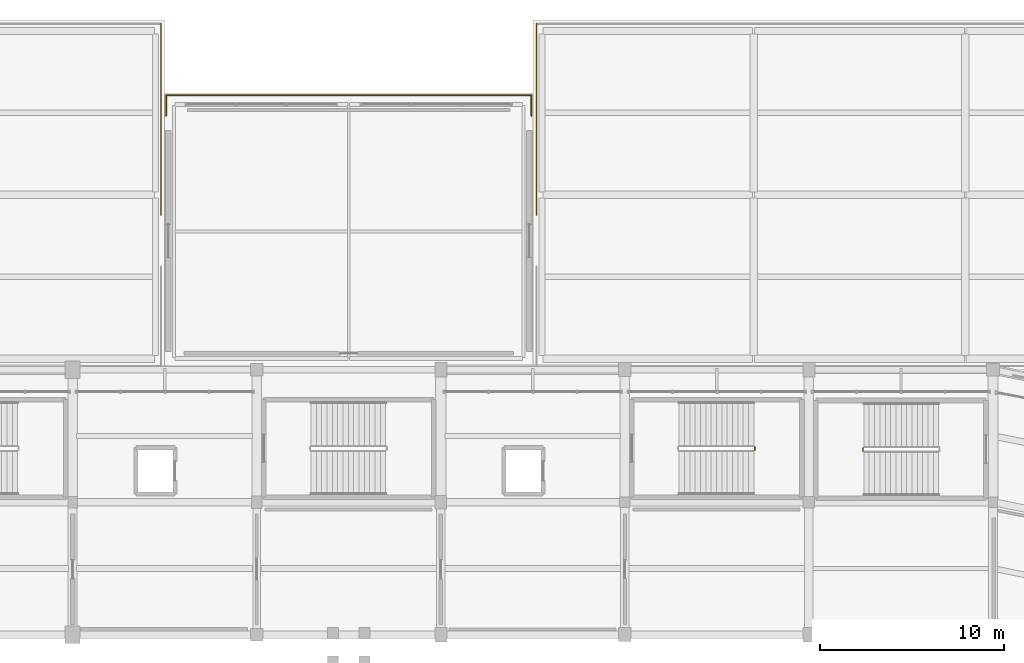
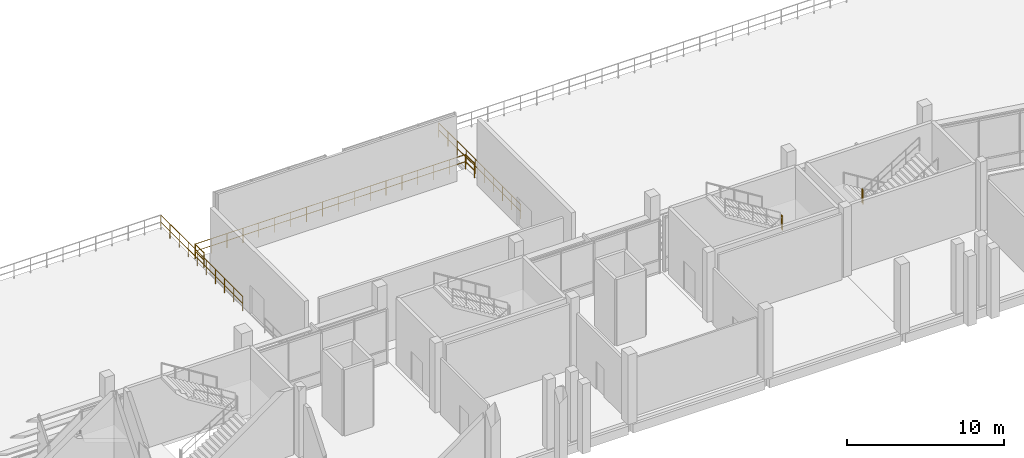
# One storey, part 108 of 111: 7 railings.
"""IFC4 building model written with IfcOpenShell, lengths in metres."""

from ifc_helpers import new_model, si_unit, direction, frame, origin, origin_2d, place, context, subcontext, project, spatial, circle, extrude, material, layer, layer_set, type_object, element, save


model = new_model("IFC4")

# Units and contexts
model_context = context("Model", 3, precision=1e-05, world=origin(), true_north=direction((0.0, 1.0)))
body_context = subcontext(model_context, "Body", "Model", "MODEL_VIEW")
ifc_project = project(units=[si_unit("LENGTHUNIT", "METRE"), si_unit("AREAUNIT", "SQUARE_METRE"), si_unit("VOLUMEUNIT", "CUBIC_METRE"), si_unit("PLANEANGLEUNIT", "RADIAN"), si_unit("MASSUNIT", "GRAM", prefix="KILO")], contexts=[model_context])

# Site, building, storey
site_placement = place(None, origin())
site = spatial("IfcSite", under=ifc_project, at=site_placement, CompositionType="ELEMENT")
building_placement = place(site_placement, origin())
building = spatial("IfcBuilding", under=site, at=building_placement, Name="Candeia Ridge Stadium", CompositionType="ELEMENT")
storey_placement = place(building_placement, frame((0.0, 0.0, 16.199951171875)))
storey = spatial("IfcBuildingStorey", under=building, at=storey_placement, Name="L03", CompositionType="ELEMENT", Elevation=16.199951171875)

# Railings
ifc_material_1 = material(Name="Laminated Glass & Stainless Steel", Category="steel")
ifc_layer_1 = layer(ifc_material_1, 0.080078125, Name="Laminated Glass & Stainless Steel", Category="steel")
ifc_layer_set_1 = layer_set([ifc_layer_1], Name="Laminated Glass & Stainless Steel")
railing_type_1 = type_object("IfcRailingType", Name="Planted Terrace Glass-Steel Guard 1150", PredefinedType="BALUSTRADE", material=ifc_layer_set_1)
railing_1_placement = place(storey_placement, frame((95.800048828125, 165.800048828125, 0.0)))
element("IfcRailing", 1, at=railing_1_placement, inside=storey, type_object=railing_type_1, Name="Terrace perimeter balustrade GR-TER-190", PredefinedType="BALUSTRADE", context=body_context, shape_type="SweptSolid", body=[
    extrude(circle(Radius=0.02392578125, at=origin_2d()), frame((0.0, 0.0, 1.1259765625), z_axis=(0.0, -1.0, 0.0), x_axis=(1.0, 0.0, 0.0)), (0.0, 0.0, 1.0), 10.400146484375),
    extrude(circle(Radius=0.02392578125, at=origin_2d()), frame((0.0, 0.0, 0.574951171875), z_axis=(0.0, -1.0, 0.0), x_axis=(1.0, 0.0, 0.0)), (0.0, 0.0, 1.0), 10.400146484375),
    extrude(circle(Radius=0.02099609375, at=origin_2d()), origin(), (0.0, 0.0, 1.0), 1.101806640625),
    extrude(circle(Radius=0.02099609375, at=origin_2d()), frame((0.0, -1.155517578125, 0.0)), (0.0, 0.0, 1.0), 1.101806640625),
    extrude(circle(Radius=0.02099609375, at=origin_2d()), frame((0.0, -2.31103515625, 0.0)), (0.0, 0.0, 1.0), 1.101806640625),
    extrude(circle(Radius=0.02099609375, at=origin_2d()), frame((0.0, -3.466796875, 0.0)), (0.0, 0.0, 1.0), 1.101806640625),
    extrude(circle(Radius=0.02099609375, at=origin_2d()), frame((0.0, -4.622314453125, 0.0)), (0.0, 0.0, 1.0), 1.101806640625),
    extrude(circle(Radius=0.02099609375, at=origin_2d()), frame((0.0, -5.77783203125, 0.0)), (0.0, 0.0, 1.0), 1.101806640625),
    extrude(circle(Radius=0.02099609375, at=origin_2d()), frame((0.0, -6.933349609375, 0.0)), (0.0, 0.0, 1.0), 1.101806640625),
    extrude(circle(Radius=0.02099609375, at=origin_2d()), frame((0.0, -8.089111328125, 0.0)), (0.0, 0.0, 1.0), 1.101806640625),
    extrude(circle(Radius=0.02099609375, at=origin_2d()), frame((0.0, -9.24462890625, 0.0)), (0.0, 0.0, 1.0), 1.101806640625),
    extrude(circle(Radius=0.02099609375, at=origin_2d()), frame((0.0, -10.400146484375, 0.0)), (0.0, 0.0, 1.0), 1.101806640625),
])
railing_2_placement = place(storey_placement, frame((96.080078125, 160.800048828125, 0.0)))
element("IfcRailing", 2, at=railing_2_placement, inside=storey, type_object=railing_type_1, Name="Terrace perimeter balustrade GR-TER-191", PredefinedType="BALUSTRADE", context=body_context, shape_type="SweptSolid", body=[
    extrude(circle(Radius=0.02392578125, at=origin_2d()), frame((0.0, 0.0, 1.1259765625), z_axis=(0.0, 1.0, 0.0), x_axis=(-1.0, 0.0, 0.0)), (0.0, 0.0, 1.0), 1.119873046875),
    extrude(circle(Radius=0.02392578125, at=origin_2d()), frame((0.0, 0.0, 0.574951171875), z_axis=(0.0, 1.0, 0.0), x_axis=(-1.0, 0.0, 0.0)), (0.0, 0.0, 1.0), 1.119873046875),
    extrude(circle(Radius=0.02099609375, at=origin_2d()), origin(), (0.0, 0.0, 1.0), 1.101806640625),
    extrude(circle(Radius=0.02099609375, at=origin_2d()), frame((0.0, 1.119873046875, 0.0)), (0.0, 0.0, 1.0), 1.101806640625),
])
railing_3_placement = place(storey_placement, frame((96.080078125, 161.919921875, 0.0)))
element("IfcRailing", 3, at=railing_3_placement, inside=storey, type_object=railing_type_1, Name="Terrace perimeter balustrade GR-TER-192", PredefinedType="BALUSTRADE", context=body_context, shape_type="SweptSolid", body=[
    extrude(circle(Radius=0.02392578125, at=origin_2d()), frame((0.0, 0.0, 1.1259765625), z_axis=(1.0, 0.0, 0.0), x_axis=(0.0, 1.0, 0.0)), (0.0, 0.0, 1.0), 19.83984375),
    extrude(circle(Radius=0.02392578125, at=origin_2d()), frame((0.0, 0.0, 0.574951171875), z_axis=(1.0, 0.0, 0.0), x_axis=(0.0, 1.0, 0.0)), (0.0, 0.0, 1.0), 19.83984375),
    extrude(circle(Radius=0.02099609375, at=origin_2d()), origin(), (0.0, 0.0, 1.0), 1.101806640625),
    extrude(circle(Radius=0.02099609375, at=origin_2d()), frame((1.1669921875, 0.0, 0.0)), (0.0, 0.0, 1.0), 1.101806640625),
    extrude(circle(Radius=0.02099609375, at=origin_2d()), frame((2.333984375, 0.0, 0.0)), (0.0, 0.0, 1.0), 1.101806640625),
    extrude(circle(Radius=0.02099609375, at=origin_2d()), frame((3.501220703125, 0.0, 0.0)), (0.0, 0.0, 1.0), 1.101806640625),
    extrude(circle(Radius=0.02099609375, at=origin_2d()), frame((4.668212890625, 0.0, 0.0)), (0.0, 0.0, 1.0), 1.101806640625),
    extrude(circle(Radius=0.02099609375, at=origin_2d()), frame((5.835205078125, 0.0, 0.0)), (0.0, 0.0, 1.0), 1.101806640625),
    extrude(circle(Radius=0.02099609375, at=origin_2d()), frame((7.002197265625, 0.0, 0.0)), (0.0, 0.0, 1.0), 1.101806640625),
    extrude(circle(Radius=0.02099609375, at=origin_2d()), frame((8.16943359375, 0.0, 0.0)), (0.0, 0.0, 1.0), 1.101806640625),
    extrude(circle(Radius=0.02099609375, at=origin_2d()), frame((9.33642578125, 0.0, 0.0)), (0.0, 0.0, 1.0), 1.101806640625),
    extrude(circle(Radius=0.02099609375, at=origin_2d()), frame((10.50341796875, 0.0, 0.0)), (0.0, 0.0, 1.0), 1.101806640625),
    extrude(circle(Radius=0.02099609375, at=origin_2d()), frame((11.67041015625, 0.0, 0.0)), (0.0, 0.0, 1.0), 1.101806640625),
    extrude(circle(Radius=0.02099609375, at=origin_2d()), frame((12.837646484375, 0.0, 0.0)), (0.0, 0.0, 1.0), 1.101806640625),
    extrude(circle(Radius=0.02099609375, at=origin_2d()), frame((14.004638671875, 0.0, 0.0)), (0.0, 0.0, 1.0), 1.101806640625),
    extrude(circle(Radius=0.02099609375, at=origin_2d()), frame((15.171630859375, 0.0, 0.0)), (0.0, 0.0, 1.0), 1.101806640625),
    extrude(circle(Radius=0.02099609375, at=origin_2d()), frame((16.338623046875, 0.0, 0.0)), (0.0, 0.0, 1.0), 1.101806640625),
    extrude(circle(Radius=0.02099609375, at=origin_2d()), frame((17.505859375, 0.0, 0.0)), (0.0, 0.0, 1.0), 1.101806640625),
    extrude(circle(Radius=0.02099609375, at=origin_2d()), frame((18.6728515625, 0.0, 0.0)), (0.0, 0.0, 1.0), 1.101806640625),
    extrude(circle(Radius=0.02099609375, at=origin_2d()), frame((19.83984375, 0.0, 0.0)), (0.0, 0.0, 1.0), 1.101806640625),
])
railing_4_placement = place(storey_placement, frame((115.919921875, 161.919921875, 0.0)))
element("IfcRailing", 4, at=railing_4_placement, inside=storey, type_object=railing_type_1, Name="Terrace perimeter balustrade GR-TER-193", PredefinedType="BALUSTRADE", context=body_context, shape_type="SweptSolid", body=[
    extrude(circle(Radius=0.02392578125, at=origin_2d()), frame((0.0, 0.0, 1.1259765625), z_axis=(0.0, -1.0, 0.0), x_axis=(1.0, 0.0, 0.0)), (0.0, 0.0, 1.0), 1.119873046875),
    extrude(circle(Radius=0.02392578125, at=origin_2d()), frame((0.0, 0.0, 0.574951171875), z_axis=(0.0, -1.0, 0.0), x_axis=(1.0, 0.0, 0.0)), (0.0, 0.0, 1.0), 1.119873046875),
    extrude(circle(Radius=0.02099609375, at=origin_2d()), origin(), (0.0, 0.0, 1.0), 1.101806640625),
    extrude(circle(Radius=0.02099609375, at=origin_2d()), frame((0.0, -1.119873046875, 0.0)), (0.0, 0.0, 1.0), 1.101806640625),
])
railing_5_placement = place(storey_placement, frame((116.199951171875, 165.800048828125, 0.0)))
element("IfcRailing", 5, at=railing_5_placement, inside=storey, type_object=railing_type_1, Name="Terrace perimeter balustrade GR-TER-198", PredefinedType="BALUSTRADE", context=body_context, shape_type="SweptSolid", body=[
    extrude(circle(Radius=0.02392578125, at=origin_2d()), frame((0.0, 0.0, 1.1259765625), z_axis=(0.0, -1.0, 0.0), x_axis=(1.0, 0.0, 0.0)), (0.0, 0.0, 1.0), 10.400146484375),
    extrude(circle(Radius=0.02392578125, at=origin_2d()), frame((0.0, 0.0, 0.574951171875), z_axis=(0.0, -1.0, 0.0), x_axis=(1.0, 0.0, 0.0)), (0.0, 0.0, 1.0), 10.400146484375),
    extrude(circle(Radius=0.02099609375, at=origin_2d()), origin(), (0.0, 0.0, 1.0), 1.101806640625),
    extrude(circle(Radius=0.02099609375, at=origin_2d()), frame((0.0, -1.155517578125, 0.0)), (0.0, 0.0, 1.0), 1.101806640625),
    extrude(circle(Radius=0.02099609375, at=origin_2d()), frame((0.0, -2.31103515625, 0.0)), (0.0, 0.0, 1.0), 1.101806640625),
    extrude(circle(Radius=0.02099609375, at=origin_2d()), frame((0.0, -3.466796875, 0.0)), (0.0, 0.0, 1.0), 1.101806640625),
    extrude(circle(Radius=0.02099609375, at=origin_2d()), frame((0.0, -4.622314453125, 0.0)), (0.0, 0.0, 1.0), 1.101806640625),
    extrude(circle(Radius=0.02099609375, at=origin_2d()), frame((0.0, -5.77783203125, 0.0)), (0.0, 0.0, 1.0), 1.101806640625),
    extrude(circle(Radius=0.02099609375, at=origin_2d()), frame((0.0, -6.933349609375, 0.0)), (0.0, 0.0, 1.0), 1.101806640625),
    extrude(circle(Radius=0.02099609375, at=origin_2d()), frame((0.0, -8.089111328125, 0.0)), (0.0, 0.0, 1.0), 1.101806640625),
    extrude(circle(Radius=0.02099609375, at=origin_2d()), frame((0.0, -9.24462890625, 0.0)), (0.0, 0.0, 1.0), 1.101806640625),
    extrude(circle(Radius=0.02099609375, at=origin_2d()), frame((0.0, -10.400146484375, 0.0)), (0.0, 0.0, 1.0), 1.101806640625),
])
ifc_material_2 = material(Name="Galvanized Powder-Coated Steel", Category="steel")
ifc_layer_2 = layer(ifc_material_2, 0.06005859375, Name="Galvanized Powder-Coated Steel", Category="steel")
ifc_layer_set_2 = layer_set([ifc_layer_2], Name="Galvanized Powder-Coated Steel")
railing_type_2 = type_object("IfcRailingType", Name="Stair Well Guardrail 1100", PredefinedType="GUARDRAIL", material=ifc_layer_set_2)
railing_6_placement = place(storey_placement, frame((133.93994140625, 142.75, 2.699951171875)))
element("IfcRailing", 6, at=railing_6_placement, inside=storey, type_object=railing_type_2, Name="L03 ST04 stair guard 2", PredefinedType="GUARDRAIL", context=body_context, shape_type="SweptSolid", body=[
    extrude(circle(Radius=0.02392578125, at=origin_2d()), frame((0.0, 0.0, 1.076171875), z_axis=(0.0, -1.0, 0.0), x_axis=(1.0, 0.0, 0.0)), (0.0, 0.0, 1.0), 0.14990234375),
    extrude(circle(Radius=0.02392578125, at=origin_2d()), frame((0.0, 0.0, 0.550048828125), z_axis=(0.0, -1.0, 0.0), x_axis=(1.0, 0.0, 0.0)), (0.0, 0.0, 1.0), 0.14990234375),
    extrude(circle(Radius=0.02099609375, at=origin_2d()), origin(), (0.0, 0.0, 1.0), 1.052001953125),
    extrude(circle(Radius=0.02099609375, at=origin_2d()), frame((0.0, -0.14990234375, 0.0)), (0.0, 0.0, 1.0), 1.052001953125),
])
railing_7_placement = place(storey_placement, frame((128.06005859375, 142.64990234375, 2.699951171875)))
element("IfcRailing", 7, at=railing_7_placement, inside=storey, type_object=railing_type_2, Name="L03 ST10 stair guard 2", PredefinedType="GUARDRAIL", context=body_context, shape_type="SweptSolid", body=[
    extrude(circle(Radius=0.02392578125, at=origin_2d()), frame((0.0, 0.0, 1.076171875), z_axis=(0.0, 1.0, 0.0), x_axis=(-1.0, 0.0, 0.0)), (0.0, 0.0, 1.0), 0.150146484375),
    extrude(circle(Radius=0.02392578125, at=origin_2d()), frame((0.0, 0.0, 0.550048828125), z_axis=(0.0, 1.0, 0.0), x_axis=(-1.0, 0.0, 0.0)), (0.0, 0.0, 1.0), 0.150146484375),
    extrude(circle(Radius=0.02099609375, at=origin_2d()), origin(), (0.0, 0.0, 1.0), 1.052001953125),
    extrude(circle(Radius=0.02099609375, at=origin_2d()), frame((0.0, 0.150146484375, 0.0)), (0.0, 0.0, 1.0), 1.052001953125),
])

save(model, "model.ifc")
